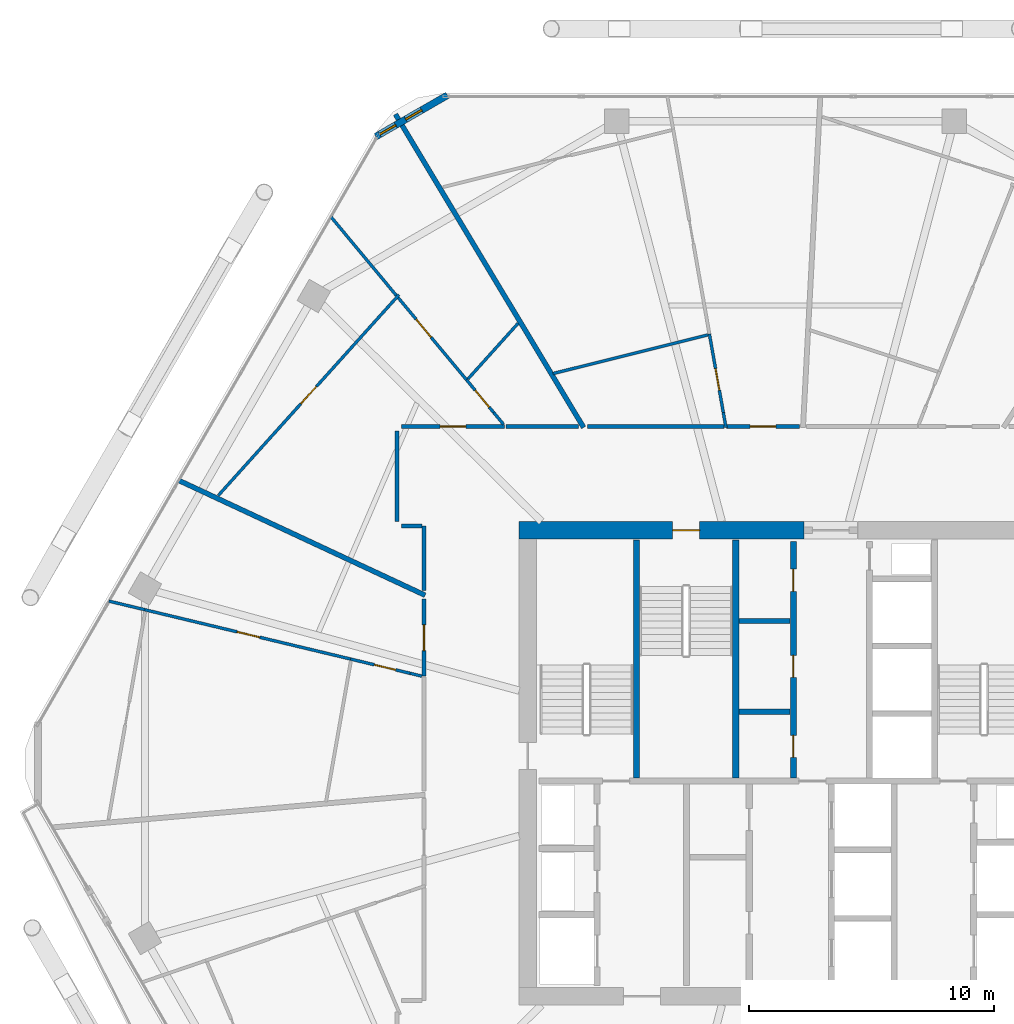
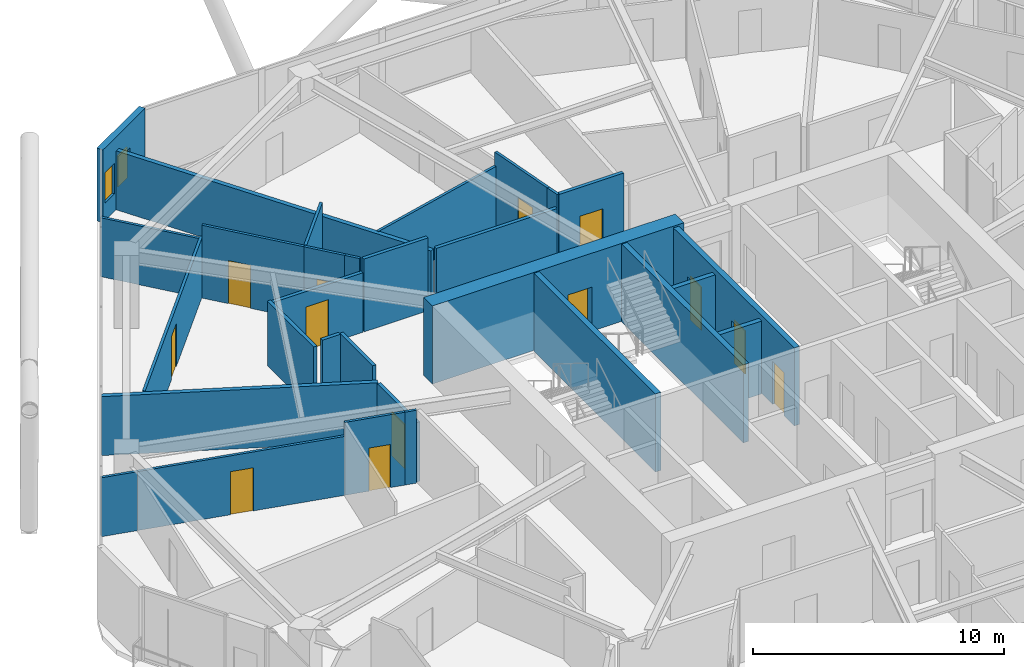
# One storey, part 23 of 28: 30 walls, 13 doors, 2 windows, 15 openings.
"""IFC4 building model written with IfcOpenShell, lengths in metres."""

from ifc_helpers import new_model, si_unit, direction, frame, frame_2d, origin, place, context, subcontext, project, spatial, rectangle, extrude, material, layer, layer_set, type_object, element, fill, save


model = new_model("IFC4")

# Units and contexts
model_context = context("Model", 3, precision=1e-05, world=origin(), true_north=direction((0.0, 1.0)))
body_context = subcontext(model_context, "Body", "Model", "MODEL_VIEW")
ifc_project = project(units=[si_unit("LENGTHUNIT", "METRE"), si_unit("AREAUNIT", "SQUARE_METRE"), si_unit("VOLUMEUNIT", "CUBIC_METRE"), si_unit("PLANEANGLEUNIT", "RADIAN"), si_unit("MASSUNIT", "GRAM", prefix="KILO")], contexts=[model_context])

# Site, building, storey
site_placement = place(None, origin())
site = spatial("IfcSite", under=ifc_project, at=site_placement, CompositionType="ELEMENT")
building_placement = place(site_placement, origin())
building = spatial("IfcBuilding", under=site, at=building_placement, Name="Zuhravey Tower", CompositionType="ELEMENT")
storey_placement = place(building_placement, frame((0.0, 0.0, 169.39990234375)))
storey = spatial("IfcBuildingStorey", under=building, at=storey_placement, Name="L42", CompositionType="ELEMENT", Elevation=169.39990234375)

# Wall, opening, door
ifc_material_1 = material(Name="Concrete C60/75", Category="concrete")
ifc_layer_1 = layer(ifc_material_1, 0.699951171875)
ifc_layer_set_1 = layer_set([ifc_layer_1], Name="Concrete C60/75")
wall_type_1 = type_object("IfcWallType", Name="Core Shear Wall 700", PredefinedType="SHEAR", material=ifc_layer_set_1)
wall_1_placement = place(storey_placement, frame((36.75, 41.5, 0.0), z_axis=(0.0, 0.0, 1.0), x_axis=(-1.0, 0.0, 0.0)))
wall_1 = element("IfcWall", 1, at=wall_1_placement, inside=storey, type_object=wall_type_1, Name="L42 North-West Core Shear Wall CW70", PredefinedType="SHEAR", context=body_context, shape_type="SweptSolid", body=[
    extrude(rectangle(XDim=11.60009765625, YDim=0.699951171875, at=frame_2d((5.800048828125, 0.0))), origin(), (0.0, 0.0, 1.0), 3.800048828125),
])
opening_1_placement = place(wall_1_placement, frame((4.25, 0.0, 0.0)))
opening_1 = element("IfcOpeningElement", 2, at=opening_1_placement, cuts=wall_1, Name="Opening STD1", PredefinedType="OPENING", context=body_context, shape_type="SweptSolid", body=[
    extrude(rectangle(XDim=1.10009765625, YDim=2.14990234375, at=frame_2d((0.550048828125, 1.074951171875))), frame((0.0, 0.362060546875, 0.0), z_axis=(0.0, -1.0, 0.0), x_axis=(1.0, 0.0, 0.0)), (0.0, 0.0, 1.0), 0.723876953125),
])
ifc_material_2 = material(Name="Galvanised fire-rated steel leaf", Category="steel")
door_type_1 = type_object("IfcDoorType", Name="Protected Stair Fire Door 1100x2150", OperationType="NOTDEFINED", PredefinedType="USERDEFINED", material=ifc_material_2)
door_1_placement = place(opening_1_placement, origin())
door_1 = element("IfcDoor", 3, at=door_1_placement, inside=storey, type_object=door_type_1, Name="L42 Stair ST3 Door", ObjectType="EXITDOOR", OperationType="SINGLE_SWING_RIGHT", OverallHeight=2.14990234375, OverallWidth=1.10009765625, PredefinedType="USERDEFINED", context=body_context, shape_type="SweptSolid", body=[
    extrude(rectangle(XDim=1.10009765625, YDim=2.14990234375, at=frame_2d((0.550048828125, 1.074951171875))), frame((0.0, 0.02490234375, 0.0), z_axis=(0.0, -1.0, 0.0), x_axis=(1.0, 0.0, 0.0)), (0.0, 0.0, 1.0), 0.050048828125),
])
fill(opening_1, door_1)

ifc_material_3 = material(Name="Gypsum fire-rated stud partition")
ifc_layer_2 = layer(ifc_material_3, 0.159912109375)
ifc_layer_set_2 = layer_set([ifc_layer_2], Name="Gypsum fire-rated stud partition")
wall_type_2 = type_object("IfcWallType", Name="Corridor Fire Partition 160", PredefinedType="PARTITIONING", material=ifc_layer_set_2)
wall_2_placement = place(storey_placement, frame((36.579345703125, 45.72998046875, 0.0), z_axis=(0.0, 0.0, 1.0), x_axis=(-1.0, 0.0, 0.0)))
wall_2 = element("IfcWall", 4, at=wall_2_placement, inside=storey, type_object=wall_type_2, Name="L42 IW16 Partition 032", PredefinedType="PARTITIONING", context=body_context, shape_type="SweptSolid", body=[
    extrude(rectangle(XDim=2.98974609375, YDim=0.159912109375, at=frame_2d((1.494873046875, 0.0))), origin(), (0.0, 0.0, 1.0), 3.550048828125),
])
opening_2_placement = place(wall_2_placement, frame((0.969970703125, 0.0, 0.0)))
opening_2 = element("IfcOpeningElement", 5, at=opening_2_placement, cuts=wall_2, Name="Opening APD1", PredefinedType="OPENING", context=body_context, shape_type="SweptSolid", body=[
    extrude(rectangle(XDim=1.050048828125, YDim=2.14990234375, at=frame_2d((0.52490234375, 1.074951171875))), frame((0.0, 0.092041015625, 0.0), z_axis=(0.0, -1.0, 0.0), x_axis=(1.0, 0.0, 0.0)), (0.0, 0.0, 1.0), 0.183837890625),
])
ifc_material_4 = material(Name="Solid-core oak fire-rated leaf")
door_type_2 = type_object("IfcDoorType", Name="Apartment Entrance Fire Door 1050x2150", OperationType="NOTDEFINED", PredefinedType="DOOR", material=ifc_material_4)
door_2_placement = place(opening_2_placement, frame((1.050048828125, 0.0, 0.0), z_axis=(0.0, 0.0, 1.0), x_axis=(-1.0, 0.0, 0.0)))
door_2 = element("IfcDoor", 6, at=door_2_placement, inside=storey, type_object=door_type_2, Name="L42 Door 032.1", OperationType="SINGLE_SWING_RIGHT", OverallHeight=2.14990234375, OverallWidth=1.050048828125, PredefinedType="DOOR", context=body_context, shape_type="SweptSolid", body=[
    extrude(rectangle(XDim=1.050048828125, YDim=2.14990234375, at=frame_2d((0.52490234375, 1.074951171875))), frame((0.0, 0.02490234375, 0.0), z_axis=(0.0, -1.0, 0.0), x_axis=(1.0, 0.0, 0.0)), (0.0, 0.0, 1.0), 0.050048828125),
])
fill(opening_2, door_2)

wall_3_placement = place(storey_placement, frame((24.554931640625, 45.72998046875, 0.0), z_axis=(0.0, 0.0, 1.0), x_axis=(-1.0, 0.0, 0.0)))
wall_3 = element("IfcWall", 7, at=wall_3_placement, inside=storey, type_object=wall_type_2, Name="L42 IW16 Partition 037", PredefinedType="PARTITIONING", context=body_context, shape_type="SweptSolid", body=[
    extrude(rectangle(XDim=4.204833984375, YDim=0.159912109375, at=frame_2d((2.1025390625, 0.0))), origin(), (0.0, 0.0, 1.0), 2.900146484375),
])
opening_3_placement = place(wall_3_placement, frame((1.577392578125, 0.0, 0.0)))
opening_3 = element("IfcOpeningElement", 8, at=opening_3_placement, cuts=wall_3, Name="Opening APD1", PredefinedType="OPENING", context=body_context, shape_type="SweptSolid", body=[
    extrude(rectangle(XDim=1.050048828125, YDim=2.14990234375, at=frame_2d((0.52490234375, 1.074951171875))), frame((0.0, 0.092041015625, 0.0), z_axis=(0.0, -1.0, 0.0), x_axis=(1.0, 0.0, 0.0)), (0.0, 0.0, 1.0), 0.183837890625),
])
door_3_placement = place(opening_3_placement, origin())
door_3 = element("IfcDoor", 9, at=door_3_placement, inside=storey, type_object=door_type_2, Name="L42 Door 037.1", OperationType="SINGLE_SWING_RIGHT", OverallHeight=2.14990234375, OverallWidth=1.050048828125, PredefinedType="DOOR", context=body_context, shape_type="SweptSolid", body=[
    extrude(rectangle(XDim=1.050048828125, YDim=2.14990234375, at=frame_2d((0.52490234375, 1.074951171875))), frame((0.0, 0.02490234375, 0.0), z_axis=(0.0, -1.0, 0.0), x_axis=(1.0, 0.0, 0.0)), (0.0, 0.0, 1.0), 0.050048828125),
])
fill(opening_3, door_3)

wall_4_placement = place(storey_placement, frame((21.27001953125, 38.69091796875, 0.0), z_axis=(0.0, 0.0, 1.0), x_axis=(0.0, -1.0, 0.0)))
wall_4 = element("IfcWall", 10, at=wall_4_placement, inside=storey, type_object=wall_type_2, Name="L42 IW16 Partition 041", PredefinedType="PARTITIONING", context=body_context, shape_type="SweptSolid", body=[
    extrude(rectangle(XDim=3.139404296875, YDim=0.159912109375, at=frame_2d((1.56982421875, 0.0))), origin(), (0.0, 0.0, 1.0), 2.900146484375),
])
opening_4_placement = place(wall_4_placement, frame((1.044677734375, 0.0, 0.0)))
opening_4 = element("IfcOpeningElement", 11, at=opening_4_placement, cuts=wall_4, Name="Opening APD1", PredefinedType="OPENING", context=body_context, shape_type="SweptSolid", body=[
    extrude(rectangle(XDim=1.050048828125, YDim=2.14990234375, at=frame_2d((0.52490234375, 1.074951171875))), frame((0.0, 0.092041015625, 0.0), z_axis=(0.0, -1.0, 0.0), x_axis=(1.0, 0.0, 0.0)), (0.0, 0.0, 1.0), 0.183837890625),
])
door_4_placement = place(opening_4_placement, frame((1.050048828125, 0.0, 0.0), z_axis=(0.0, 0.0, 1.0), x_axis=(-1.0, 0.0, 0.0)))
door_4 = element("IfcDoor", 12, at=door_4_placement, inside=storey, type_object=door_type_2, Name="L42 Door 041.1", OperationType="SINGLE_SWING_RIGHT", OverallHeight=2.14990234375, OverallWidth=1.050048828125, PredefinedType="DOOR", context=body_context, shape_type="SweptSolid", body=[
    extrude(rectangle(XDim=1.050048828125, YDim=2.14990234375, at=frame_2d((0.52490234375, 1.074951171875))), frame((0.0, 0.02490234375, 0.0), z_axis=(0.0, -1.0, 0.0), x_axis=(1.0, 0.0, 0.0)), (0.0, 0.0, 1.0), 0.050048828125),
])
fill(opening_4, door_4)

# Walls
wall_5_placement = place(storey_placement, frame((33.5, 45.72998046875, 0.0), z_axis=(0.0, 0.0, 1.0), x_axis=(-1.0, 0.0, 0.0)))
element("IfcWall", 13, at=wall_5_placement, inside=storey, type_object=wall_type_2, Name="L42 IW16 Partition 128", PredefinedType="PARTITIONING", context=body_context, shape_type="SweptSolid", body=[
    extrude(rectangle(XDim=5.564453125, YDim=0.159912109375, at=frame_2d((2.7822265625, 0.0))), origin(), (0.0, 0.0, 1.0), 2.900146484375),
])
wall_6_placement = place(storey_placement, frame((20.169921875, 45.550048828125, 0.0), z_axis=(0.0, 0.0, 1.0), x_axis=(0.0, -1.0, 0.0)))
element("IfcWall", 14, at=wall_6_placement, inside=storey, type_object=wall_type_2, Name="L42 IW16 Partition 129", PredefinedType="PARTITIONING", context=body_context, shape_type="SweptSolid", body=[
    extrude(rectangle(XDim=3.699951171875, YDim=0.159912109375, at=frame_2d((1.85009765625, 0.0))), origin(), (0.0, 0.0, 1.0), 3.150146484375),
])
wall_7_placement = place(storey_placement, frame((21.27001953125, 41.669921875, 0.0), z_axis=(0.0, 0.0, 1.0), x_axis=(0.0, -1.0, 0.0)))
element("IfcWall", 15, at=wall_7_placement, inside=storey, type_object=wall_type_2, Name="L42 IW16 Partition 130", PredefinedType="PARTITIONING", context=body_context, shape_type="SweptSolid", body=[
    extrude(rectangle(XDim=2.621826171875, YDim=0.159912109375, at=frame_2d((1.31103515625, 0.0))), origin(), (0.0, 0.0, 1.0), 3.550048828125),
])
wall_8_placement = place(storey_placement, frame((20.35009765625, 41.669921875, 0.0), z_axis=(0.0, 0.0, 1.0), x_axis=(1.0, 0.0, 0.0)))
element("IfcWall", 16, at=wall_8_placement, inside=storey, type_object=wall_type_2, Name="L42 IW16 Partition 131", PredefinedType="PARTITIONING", context=body_context, shape_type="SweptSolid", body=[
    extrude(rectangle(XDim=0.831787109375, YDim=0.159912109375, at=frame_2d((0.416015625, 0.0))), origin(), (0.0, 0.0, 1.0), 3.550048828125),
])
wall_9_placement = place(storey_placement, frame((27.562744140625, 45.72998046875, 0.0), z_axis=(0.0, 0.0, 1.0), x_axis=(-1.0, 0.0, 0.0)))
element("IfcWall", 17, at=wall_9_placement, inside=storey, type_object=wall_type_2, Name="L42 IW16 Partition 132", PredefinedType="PARTITIONING", context=body_context, shape_type="SweptSolid", body=[
    extrude(rectangle(XDim=2.955810546875, YDim=0.159912109375, at=frame_2d((1.47802734375, 0.0))), origin(), (0.0, 0.0, 1.0), 3.550048828125),
])

# Wall, openings, windows
ifc_material_5 = material(Name="Precast concrete C40/50", Category="concrete")
ifc_layer_3 = layer(ifc_material_5, 0.280029296875)
ifc_layer_set_3 = layer_set([ifc_layer_3], Name="Precast concrete C40/50")
wall_type_3 = type_object("IfcWallType", Name="Crown Architectural Wall 280", PredefinedType="SOLIDWALL", material=ifc_layer_set_3)
wall_10_placement = place(storey_placement, frame((19.306884765625, 57.548095703125, 0.0), z_axis=(0.0, 0.0, 1.0), x_axis=(0.866020068361, 0.500009241111, 0.0)))
wall_10 = element("IfcWall", 18, at=wall_10_placement, inside=storey, type_object=wall_type_3, Name="L42 Rounded Corner Closure Wall EW28-08", PredefinedType="SOLIDWALL", context=body_context, shape_type="SweptSolid", body=[
    extrude(rectangle(XDim=3.365234375, YDim=0.280029296875, at=frame_2d((1.6826171875, 0.0))), origin(), (0.0, 0.0, 1.0), 3.550048828125),
])
opening_5_placement = place(wall_10_placement, frame((1.405517578125, 0.0, 0.85009765625)))
opening_5 = element("IfcOpeningElement", 19, at=opening_5_placement, cuts=wall_10, Name="Opening WN5", PredefinedType="OPENING", context=body_context, shape_type="SweptSolid", body=[
    extrude(rectangle(XDim=0.75, YDim=1.5, at=frame_2d((0.375, 0.75))), frame((0.0, 0.152099609375, 0.0), z_axis=(0.0, -1.0, 0.0), x_axis=(1.0, 0.0, 0.0)), (0.0, 0.0, 1.0), 0.303955078125),
])
opening_6_placement = place(wall_10_placement, frame((0.17919921875, 0.0, 0.85009765625)))
opening_6 = element("IfcOpeningElement", 20, at=opening_6_placement, cuts=wall_10, Name="Opening WN5", PredefinedType="OPENING", context=body_context, shape_type="SweptSolid", body=[
    extrude(rectangle(XDim=0.75, YDim=1.5, at=frame_2d((0.375, 0.75))), frame((0.0, 0.152099609375, 0.0), z_axis=(0.0, -1.0, 0.0), x_axis=(1.0, 0.0, 0.0)), (0.0, 0.0, 1.0), 0.303955078125),
])
ifc_material_6 = material(Name="Thermally broken aluminium and triple low-E glass", Category="aluminium")
window_type = type_object("IfcWindowType", Name="Residential Corner Casement Window 750x1500", PartitioningType="SINGLE_PANEL", PredefinedType="WINDOW", material=ifc_material_6)
window_1_placement = place(opening_5_placement, origin())
window_1 = element("IfcWindow", 21, at=window_1_placement, inside=storey, type_object=window_type, Name="L42 Corner Casement Window WN5-08.1", OverallHeight=1.5, OverallWidth=0.75, PartitioningType="SINGLE_PANEL", PredefinedType="WINDOW", context=body_context, shape_type="SweptSolid", body=[
    extrude(rectangle(XDim=0.75, YDim=1.5, at=frame_2d((0.375, 0.75))), frame((0.0, 0.030029296875, 0.0), z_axis=(0.0, -1.0, 0.0), x_axis=(1.0, 0.0, 0.0)), (0.0, 0.0, 1.0), 0.06005859375),
])
fill(opening_5, window_1)
window_2_placement = place(opening_6_placement, origin())
window_2 = element("IfcWindow", 22, at=window_2_placement, inside=storey, type_object=window_type, Name="L42 Corner Casement Window WN5-08.2", OverallHeight=1.5, OverallWidth=0.75, PartitioningType="SINGLE_PANEL", PredefinedType="WINDOW", context=body_context, shape_type="SweptSolid", body=[
    extrude(rectangle(XDim=0.75, YDim=1.5, at=frame_2d((0.375, 0.75))), frame((0.0, 0.030029296875, 0.0), z_axis=(0.0, -1.0, 0.0), x_axis=(1.0, 0.0, 0.0)), (0.0, 0.0, 1.0), 0.06005859375),
])
fill(opening_6, window_2)

# Walls
ifc_material_7 = material(Name="Concrete C50/60", Category="concrete")
ifc_layer_4 = layer(ifc_material_7, 0.25)
ifc_layer_set_4 = layer_set([ifc_layer_4], Name="Concrete C50/60")
wall_type_4 = type_object("IfcWallType", Name="Firefighting Shaft & Stair Wall 250", PredefinedType="SOLIDWALL", material=ifc_layer_set_4)
for number, where, z_axis, x_axis, name in (
    (23, (29.925048828125, 31.39990234375, 0.0), (0.0, 0.0, 1.0), (0.0, 1.0, 0.0), "L42 FW25 Shaft Wall 004"),
    (24, (33.97509765625, 31.39990234375, 0.0), (0.0, 0.0, 1.0), (0.0, 1.0, 0.0), "L42 FW25 Shaft Wall 005"),
):
    element("IfcWall", number, at=place(storey_placement, frame(where, z_axis=z_axis, x_axis=x_axis)), inside=storey, type_object=wall_type_4, Name=name, PredefinedType="SOLIDWALL", context=body_context, shape_type="SweptSolid", body=[
        extrude(rectangle(XDim=9.7001953125, YDim=0.25, at=frame_2d((4.85009765625, 0.0))), origin(), (0.0, 0.0, 1.0), 3.800048828125),
    ])

# Wall, openings, doors
wall_11_placement = place(storey_placement, frame((36.324951171875, 31.39990234375, 0.0), z_axis=(0.0, 0.0, 1.0), x_axis=(0.0, 1.0, 0.0)))
wall_11 = element("IfcWall", 25, at=wall_11_placement, inside=storey, type_object=wall_type_4, Name="L42 FW25 Shaft Wall 007", PredefinedType="SOLIDWALL", context=body_context, shape_type="SweptSolid", body=[
    extrude(rectangle(XDim=9.650146484375, YDim=0.25, at=frame_2d((4.8251953125, 0.0))), origin(), (0.0, 0.0, 1.0), 3.800048828125),
])
opening_7_placement = place(wall_11_placement, frame((0.840087890625, 0.0, 0.0)))
opening_7 = element("IfcOpeningElement", 26, at=opening_7_placement, cuts=wall_11, Name="Opening RSD1", PredefinedType="OPENING", context=body_context, shape_type="SweptSolid", body=[
    extrude(rectangle(XDim=0.89990234375, YDim=2.10009765625, at=frame_2d((0.449951171875, 1.050048828125))), frame((0.0, 0.136962890625, 0.0), z_axis=(0.0, -1.0, 0.0), x_axis=(1.0, 0.0, 0.0)), (0.0, 0.0, 1.0), 0.27392578125),
])
opening_8_placement = place(wall_11_placement, frame((4.10009765625, 0.0, 0.0)))
opening_8 = element("IfcOpeningElement", 27, at=opening_8_placement, cuts=wall_11, Name="Opening RSD1", PredefinedType="OPENING", context=body_context, shape_type="SweptSolid", body=[
    extrude(rectangle(XDim=0.89990234375, YDim=2.10009765625, at=frame_2d((0.449951171875, 1.050048828125))), frame((0.0, 0.136962890625, 0.0), z_axis=(0.0, -1.0, 0.0), x_axis=(1.0, 0.0, 0.0)), (0.0, 0.0, 1.0), 0.27392578125),
])
opening_9_placement = place(wall_11_placement, frame((7.610107421875, 0.0, 0.0)))
opening_9 = element("IfcOpeningElement", 28, at=opening_9_placement, cuts=wall_11, Name="Opening RSD1", PredefinedType="OPENING", context=body_context, shape_type="SweptSolid", body=[
    extrude(rectangle(XDim=0.89990234375, YDim=2.10009765625, at=frame_2d((0.449951171875, 1.050048828125))), frame((0.0, 0.136962890625, 0.0), z_axis=(0.0, -1.0, 0.0), x_axis=(1.0, 0.0, 0.0)), (0.0, 0.0, 1.0), 0.27392578125),
])
ifc_material_8 = material(Name="Galvanised fire-rated steel access leaf", Category="steel")
door_type_3 = type_object("IfcDoorType", Name="Riser & Shaft Access Fire Door 900x2100", OperationType="NOTDEFINED", PredefinedType="DOOR", material=ifc_material_8)
door_5_placement = place(opening_7_placement, origin())
door_5 = element("IfcDoor", 29, at=door_5_placement, inside=storey, type_object=door_type_3, Name="L42 Core Staff WC Door", OperationType="SINGLE_SWING_RIGHT", OverallHeight=2.10009765625, OverallWidth=0.89990234375, PredefinedType="DOOR", context=body_context, shape_type="SweptSolid", body=[
    extrude(rectangle(XDim=0.89990234375, YDim=2.10009765625, at=frame_2d((0.449951171875, 1.050048828125))), frame((0.0, 0.02490234375, 0.0), z_axis=(0.0, -1.0, 0.0), x_axis=(1.0, 0.0, 0.0)), (0.0, 0.0, 1.0), 0.050048828125),
])
fill(opening_7, door_5)
door_6_placement = place(opening_8_placement, origin())
door_6 = element("IfcDoor", 30, at=door_6_placement, inside=storey, type_object=door_type_3, Name="L42 IT and Comms Room Door", OperationType="SINGLE_SWING_LEFT", OverallHeight=2.10009765625, OverallWidth=0.89990234375, PredefinedType="DOOR", context=body_context, shape_type="SweptSolid", body=[
    extrude(rectangle(XDim=0.89990234375, YDim=2.10009765625, at=frame_2d((0.449951171875, 1.050048828125))), frame((0.0, 0.02490234375, 0.0), z_axis=(0.0, -1.0, 0.0), x_axis=(1.0, 0.0, 0.0)), (0.0, 0.0, 1.0), 0.050048828125),
])
fill(opening_8, door_6)
door_7_placement = place(opening_9_placement, origin())
door_7 = element("IfcDoor", 31, at=door_7_placement, inside=storey, type_object=door_type_3, Name="L42 Janitor Linen Store Door", OperationType="SINGLE_SWING_RIGHT", OverallHeight=2.10009765625, OverallWidth=0.89990234375, PredefinedType="DOOR", context=body_context, shape_type="SweptSolid", body=[
    extrude(rectangle(XDim=0.89990234375, YDim=2.10009765625, at=frame_2d((0.449951171875, 1.050048828125))), frame((0.0, 0.02490234375, 0.0), z_axis=(0.0, -1.0, 0.0), x_axis=(1.0, 0.0, 0.0)), (0.0, 0.0, 1.0), 0.050048828125),
])
fill(opening_9, door_7)

# Walls
ifc_material_9 = material(Name="Gypsum double-stud party assembly")
ifc_layer_5 = layer(ifc_material_9, 0.199951171875)
ifc_layer_set_5 = layer_set([ifc_layer_5], Name="Gypsum double-stud party assembly")
wall_type_5 = type_object("IfcWallType", Name="Inter-Tenancy Party Wall 200", PredefinedType="PARTITIONING", material=ifc_layer_set_5)
wall_12_placement = place(storey_placement, frame((27.774169921875, 45.68994140625, 0.0), z_axis=(0.0, 0.0, 1.0), x_axis=(-0.515035727322, 0.857168711271, 0.0)))
element("IfcWall", 32, at=wall_12_placement, inside=storey, type_object=wall_type_5, Name="L42 IW20 Partition 089", PredefinedType="PARTITIONING", context=body_context, shape_type="SweptSolid", body=[
    extrude(rectangle(XDim=14.89111328125, YDim=0.199951171875, at=frame_2d((7.445556640625, 0.0))), origin(), (0.0, 0.0, 1.0), 2.8701171875),
])
wall_13_placement = place(storey_placement, frame((21.31005859375, 38.85009765625, 0.0), z_axis=(0.0, 0.0, 1.0), x_axis=(-0.906310899559, 0.422611586851, 0.0)))
element("IfcWall", 33, at=wall_13_placement, inside=storey, type_object=wall_type_5, Name="L42 IW20 Partition 092", PredefinedType="PARTITIONING", context=body_context, shape_type="SweptSolid", body=[
    extrude(rectangle(XDim=11.078369140625, YDim=0.199951171875, at=frame_2d((5.5390625, 0.0))), origin(), (0.0, 0.0, 1.0), 2.8701171875),
])
ifc_material_10 = material(Name="Gypsum acoustic stud assembly")
ifc_layer_6 = layer(ifc_material_10, 0.219970703125)
ifc_layer_set_6 = layer_set([ifc_layer_6], Name="Gypsum acoustic stud assembly")
wall_type_6 = type_object("IfcWallType", Name="School Acoustic Compartment Wall 220", PredefinedType="PARTITIONING", material=ifc_layer_set_6)
for number, where, z_axis, x_axis, name in (
    (34, (34.10791015625, 34.10009765625, 0.0), (0.0, 0.0, 1.0), (1.0, 0.0, 0.0), "L42 IW22 Partition 067"),
    (35, (34.10791015625, 37.800048828125, 0.0), (0.0, 0.0, 1.0), (1.0, 0.0, 0.0), "L42 IW22 Partition 068"),
):
    element("IfcWall", number, at=place(storey_placement, frame(where, z_axis=z_axis, x_axis=x_axis)), inside=storey, type_object=wall_type_6, Name=name, PredefinedType="PARTITIONING", context=body_context, shape_type="SweptSolid", body=[
        extrude(rectangle(XDim=2.083984375, YDim=0.219970703125, at=frame_2d((1.0419921875, 0.0))), origin(), (0.0, 0.0, 1.0), 3.550048828125),
    ])

# Wall, opening, door
ifc_material_11 = material(Name="Gypsum metal-stud partition")
ifc_layer_7 = layer(ifc_material_11, 0.1201171875)
ifc_layer_set_7 = layer_set([ifc_layer_7], Name="Gypsum metal-stud partition")
wall_type_7 = type_object("IfcWallType", Name="Unit Internal Partition 120", PredefinedType="PARTITIONING", material=ifc_layer_set_7)
wall_14_placement = place(storey_placement, frame((33.46826171875, 46.300048828125, 0.0), z_axis=(0.0, 0.0, 1.0), x_axis=(-0.174363613102, 0.984681334456, 0.0)))
wall_14 = element("IfcWall", 36, at=wall_14_placement, inside=storey, type_object=wall_type_7, Name="L42 IW12 Partition 029", PredefinedType="PARTITIONING", context=body_context, shape_type="SweptSolid", body=[
    extrude(rectangle(XDim=3.251220703125, YDim=0.1201171875, at=frame_2d((1.62548828125, 0.0))), origin(), (0.0, 0.0, 1.0), 3.550048828125),
])
opening_10_placement = place(wall_14_placement, frame((0.91552734375, 0.0, 0.0)))
opening_10 = element("IfcOpeningElement", 37, at=opening_10_placement, cuts=wall_14, Name="Opening WCD1", PredefinedType="OPENING", context=body_context, shape_type="SweptSolid", body=[
    extrude(rectangle(XDim=0.89990234375, YDim=2.10009765625, at=frame_2d((0.449951171875, 1.050048828125))), frame((0.0, 0.072021484375, 0.0), z_axis=(0.0, -1.0, 0.0), x_axis=(1.0, 0.0, 0.0)), (0.0, 0.0, 1.0), 0.14404296875),
])
ifc_material_12 = material(Name="Moisture-resistant timber leaf", Category="wood")
door_type_4 = type_object("IfcDoorType", Name="Bathroom & WC Internal Door 900x2100", OperationType="NOTDEFINED", PredefinedType="DOOR", material=ifc_material_12)
door_8_placement = place(opening_10_placement, origin())
door_8 = element("IfcDoor", 38, at=door_8_placement, inside=storey, type_object=door_type_4, Name="Apartment L42-03 Bathroom Door", OperationType="SINGLE_SWING_LEFT", OverallHeight=2.10009765625, OverallWidth=0.89990234375, PredefinedType="DOOR", context=body_context, shape_type="SweptSolid", body=[
    extrude(rectangle(XDim=0.89990234375, YDim=2.10009765625, at=frame_2d((0.449951171875, 1.050048828125))), frame((0.0, 0.02490234375, 0.0), z_axis=(0.0, -1.0, 0.0), x_axis=(1.0, 0.0, 0.0)), (0.0, 0.0, 1.0), 0.050048828125),
])
fill(opening_10, door_8)

wall_15_placement = place(storey_placement, frame((20.24755859375, 51.0966796875, 0.0), z_axis=(0.0, 0.0, 1.0), x_axis=(-0.669133806592, -0.743141943962, 0.0)))
wall_15 = element("IfcWall", 39, at=wall_15_placement, inside=storey, type_object=wall_type_7, Name="L42 IW12 Partition 033", PredefinedType="PARTITIONING", context=body_context, shape_type="SweptSolid", body=[
    extrude(rectangle(XDim=11.00830078125, YDim=0.1201171875, at=frame_2d((5.504150390625, 0.0))), origin(), (0.0, 0.0, 1.0), 2.900146484375),
])
opening_11_placement = place(wall_15_placement, frame((5.029052734375, 0.0, 0.0)))
opening_11 = element("IfcOpeningElement", 40, at=opening_11_placement, cuts=wall_15, Name="Opening IND1", PredefinedType="OPENING", context=body_context, shape_type="SweptSolid", body=[
    extrude(rectangle(XDim=0.949951171875, YDim=2.10009765625, at=frame_2d((0.47509765625, 1.050048828125))), frame((0.0, 0.072021484375, 0.0), z_axis=(0.0, -1.0, 0.0), x_axis=(1.0, 0.0, 0.0)), (0.0, 0.0, 1.0), 0.14404296875),
])
ifc_material_13 = material(Name="Painted engineered timber leaf", Category="wood")
door_type_5 = type_object("IfcDoorType", Name="Internal Room & Bedroom Door 950x2100", OperationType="NOTDEFINED", PredefinedType="DOOR", material=ifc_material_13)
door_9_placement = place(opening_11_placement, frame((0.949951171875, 0.0, 0.0), z_axis=(0.0, 0.0, 1.0), x_axis=(-1.0, 0.0, 0.0)))
door_9 = element("IfcDoor", 41, at=door_9_placement, inside=storey, type_object=door_type_5, Name="Apartment L42-04 Family Study Door", OperationType="SINGLE_SWING_LEFT", OverallHeight=2.10009765625, OverallWidth=0.949951171875, PredefinedType="DOOR", context=body_context, shape_type="SweptSolid", body=[
    extrude(rectangle(XDim=0.949951171875, YDim=2.10009765625, at=frame_2d((0.47509765625, 1.050048828125))), frame((0.0, 0.02490234375, 0.0), z_axis=(0.0, -1.0, 0.0), x_axis=(1.0, 0.0, 0.0)), (0.0, 0.0, 1.0), 0.050048828125),
])
fill(opening_11, door_9)

wall_16_placement = place(storey_placement, frame((24.106689453125, 46.300048828125, 0.0), z_axis=(0.0, 0.0, 1.0), x_axis=(-0.639380963996, 0.76889009805, 0.0)))
wall_16 = element("IfcWall", 42, at=wall_16_placement, inside=storey, type_object=wall_type_7, Name="L42 IW12 Partition 034", PredefinedType="PARTITIONING", context=body_context, shape_type="SweptSolid", body=[
    extrude(rectangle(XDim=1.734375, YDim=0.1201171875, at=frame_2d((0.8671875, 0.0))), origin(), (0.0, 0.0, 1.0), 3.550048828125),
])
opening_12_placement = place(wall_16_placement, frame((0.2783203125, 0.0, 0.0)))
opening_12 = element("IfcOpeningElement", 43, at=opening_12_placement, cuts=wall_16, Name="Opening WCD1", PredefinedType="OPENING", context=body_context, shape_type="SweptSolid", body=[
    extrude(rectangle(XDim=0.89990234375, YDim=2.10009765625, at=frame_2d((0.449951171875, 1.050048828125))), frame((0.0, 0.072021484375, 0.0), z_axis=(0.0, -1.0, 0.0), x_axis=(1.0, 0.0, 0.0)), (0.0, 0.0, 1.0), 0.14404296875),
])
door_10_placement = place(opening_12_placement, frame((0.89990234375, 0.0, 0.0), z_axis=(0.0, 0.0, 1.0), x_axis=(-1.0, 0.0, 0.0)))
door_10 = element("IfcDoor", 44, at=door_10_placement, inside=storey, type_object=door_type_4, Name="Apartment L42-04 Bathroom Door", OperationType="SINGLE_SWING_RIGHT", OverallHeight=2.10009765625, OverallWidth=0.89990234375, PredefinedType="DOOR", context=body_context, shape_type="SweptSolid", body=[
    extrude(rectangle(XDim=0.89990234375, YDim=2.10009765625, at=frame_2d((0.449951171875, 1.050048828125))), frame((0.0, 0.02490234375, 0.0), z_axis=(0.0, -1.0, 0.0), x_axis=(1.0, 0.0, 0.0)), (0.0, 0.0, 1.0), 0.050048828125),
])
fill(opening_12, door_10)

wall_17_placement = place(storey_placement, frame((22.997802734375, 47.633544921875, 0.0), z_axis=(0.0, 0.0, 1.0), x_axis=(-0.639447858882, 0.76883446578, 0.0)))
wall_17 = element("IfcWall", 45, at=wall_17_placement, inside=storey, type_object=wall_type_7, Name="L42 IW12 Partition 035", PredefinedType="PARTITIONING", context=body_context, shape_type="SweptSolid", body=[
    extrude(rectangle(XDim=4.337890625, YDim=0.1201171875, at=frame_2d((2.1689453125, 0.0))), origin(), (0.0, 0.0, 1.0), 3.550048828125),
])
opening_13_placement = place(wall_17_placement, frame((2.25732421875, 0.0, 0.0)))
opening_13 = element("IfcOpeningElement", 46, at=opening_13_placement, cuts=wall_17, Name="Opening IND1", PredefinedType="OPENING", context=body_context, shape_type="SweptSolid", body=[
    extrude(rectangle(XDim=0.949951171875, YDim=2.10009765625, at=frame_2d((0.47509765625, 1.050048828125))), frame((0.0, 0.072021484375, 0.0), z_axis=(0.0, -1.0, 0.0), x_axis=(1.0, 0.0, 0.0)), (0.0, 0.0, 1.0), 0.14404296875),
])
door_11_placement = place(opening_13_placement, frame((0.949951171875, 0.0, 0.0), z_axis=(0.0, 0.0, 1.0), x_axis=(-1.0, 0.0, 0.0)))
door_11 = element("IfcDoor", 47, at=door_11_placement, inside=storey, type_object=door_type_5, Name="Apartment L42-04 Bedroom 1 Door", OperationType="SINGLE_SWING_LEFT", OverallHeight=2.10009765625, OverallWidth=0.949951171875, PredefinedType="DOOR", context=body_context, shape_type="SweptSolid", body=[
    extrude(rectangle(XDim=0.949951171875, YDim=2.10009765625, at=frame_2d((0.47509765625, 1.050048828125))), frame((0.0, 0.02490234375, 0.0), z_axis=(0.0, -1.0, 0.0), x_axis=(1.0, 0.0, 0.0)), (0.0, 0.0, 1.0), 0.050048828125),
])
fill(opening_13, door_11)

# Wall
wall_18_placement = place(storey_placement, frame((20.135986328125, 51.074462890625, 0.0), z_axis=(0.0, 0.0, 1.0), x_axis=(-0.639446992495, 0.768835186362, 0.0)))
element("IfcWall", 48, at=wall_18_placement, inside=storey, type_object=wall_type_7, Name="L42 IW12 Partition 036", PredefinedType="PARTITIONING", context=body_context, shape_type="SweptSolid", body=[
    extrude(rectangle(XDim=4.169921875, YDim=0.1201171875, at=frame_2d((2.0849609375, 0.0))), origin(), (0.0, 0.0, 1.0), 2.8701171875),
])

# Wall, opening, door
wall_19_placement = place(storey_placement, frame((20.699951171875, 35.66748046875, 0.0), z_axis=(0.0, 0.0, 1.0), x_axis=(-0.972436171126, 0.233169237004, 0.0)))
wall_19 = element("IfcWall", 49, at=wall_19_placement, inside=storey, type_object=wall_type_7, Name="L42 IW12 Partition 038", PredefinedType="PARTITIONING", context=body_context, shape_type="SweptSolid", body=[
    extrude(rectangle(XDim=2.492919921875, YDim=0.1201171875, at=frame_2d((1.24658203125, 0.0))), origin(), (0.0, 0.0, 1.0), 3.550048828125),
])
opening_14_placement = place(wall_19_placement, frame((0.59716796875, 0.0, 0.0)))
opening_14 = element("IfcOpeningElement", 50, at=opening_14_placement, cuts=wall_19, Name="Opening WCD1", PredefinedType="OPENING", context=body_context, shape_type="SweptSolid", body=[
    extrude(rectangle(XDim=0.89990234375, YDim=2.10009765625, at=frame_2d((0.449951171875, 1.050048828125))), frame((0.0, 0.072021484375, 0.0), z_axis=(0.0, -1.0, 0.0), x_axis=(1.0, 0.0, 0.0)), (0.0, 0.0, 1.0), 0.14404296875),
])
door_12_placement = place(opening_14_placement, origin())
door_12 = element("IfcDoor", 51, at=door_12_placement, inside=storey, type_object=door_type_4, Name="Apartment L42-05 Bathroom Door", OperationType="SINGLE_SWING_LEFT", OverallHeight=2.10009765625, OverallWidth=0.89990234375, PredefinedType="DOOR", context=body_context, shape_type="SweptSolid", body=[
    extrude(rectangle(XDim=0.89990234375, YDim=2.10009765625, at=frame_2d((0.449951171875, 1.050048828125))), frame((0.0, 0.02490234375, 0.0), z_axis=(0.0, -1.0, 0.0), x_axis=(1.0, 0.0, 0.0)), (0.0, 0.0, 1.0), 0.050048828125),
])
fill(opening_14, door_12)

wall_20_placement = place(storey_placement, frame((18.275634765625, 36.248779296875, 0.0), z_axis=(0.0, 0.0, 1.0), x_axis=(-0.972453575949, 0.233096637953, 0.0)))
wall_20 = element("IfcWall", 52, at=wall_20_placement, inside=storey, type_object=wall_type_7, Name="L42 IW12 Partition 039", PredefinedType="PARTITIONING", context=body_context, shape_type="SweptSolid", body=[
    extrude(rectangle(XDim=8.6220703125, YDim=0.1201171875, at=frame_2d((4.31103515625, 0.0))), origin(), (0.0, 0.0, 1.0), 2.8701171875),
])
opening_15_placement = place(wall_20_placement, frame((3.81103515625, 0.0, 0.0)))
opening_15 = element("IfcOpeningElement", 53, at=opening_15_placement, cuts=wall_20, Name="Opening IND1", PredefinedType="OPENING", context=body_context, shape_type="SweptSolid", body=[
    extrude(rectangle(XDim=0.949951171875, YDim=2.10009765625, at=frame_2d((0.47509765625, 1.050048828125))), frame((0.0, 0.072021484375, 0.0), z_axis=(0.0, -1.0, 0.0), x_axis=(1.0, 0.0, 0.0)), (0.0, 0.0, 1.0), 0.14404296875),
])
door_13_placement = place(opening_15_placement, origin())
door_13 = element("IfcDoor", 54, at=door_13_placement, inside=storey, type_object=door_type_5, Name="Apartment L42-05 Home Office Door", OperationType="SINGLE_SWING_RIGHT", OverallHeight=2.10009765625, OverallWidth=0.949951171875, PredefinedType="DOOR", context=body_context, shape_type="SweptSolid", body=[
    extrude(rectangle(XDim=0.949951171875, YDim=2.10009765625, at=frame_2d((0.47509765625, 1.050048828125))), frame((0.0, 0.02490234375, 0.0), z_axis=(0.0, -1.0, 0.0), x_axis=(1.0, 0.0, 0.0)), (0.0, 0.0, 1.0), 0.050048828125),
])
fill(opening_15, door_13)

# Walls
wall_21_placement = place(storey_placement, frame((33.576904296875, 45.685302734375, 0.0), z_axis=(0.0, 0.0, 1.0), x_axis=(-0.174030737969, 0.984740220689, 0.0)))
element("IfcWall", 55, at=wall_21_placement, inside=storey, type_object=wall_type_7, Name="L42 IW12 Partition 086", PredefinedType="PARTITIONING", context=body_context, shape_type="SweptSolid", body=[
    extrude(rectangle(XDim=0.624267578125, YDim=0.1201171875, at=frame_2d((0.31201171875, 0.0))), origin(), (0.0, 0.0, 1.0), 3.550048828125),
])
wall_22_placement = place(storey_placement, frame((32.839599609375, 49.46044921875, 0.0), z_axis=(0.0, 0.0, 1.0), x_axis=(-0.970292398296, -0.241935243009, 0.0)))
element("IfcWall", 56, at=wall_22_placement, inside=storey, type_object=wall_type_7, Name="L42 IW12 Partition 088", PredefinedType="PARTITIONING", context=body_context, shape_type="SweptSolid", body=[
    extrude(rectangle(XDim=6.5068359375, YDim=0.1201171875, at=frame_2d((3.25341796875, 0.0))), origin(), (0.0, 0.0, 1.0), 2.900146484375),
])
wall_23_placement = place(storey_placement, frame((24.5078125, 45.818115234375, 0.0), z_axis=(0.0, 0.0, 1.0), x_axis=(-0.639724708175, 0.768604122908, 0.0)))
element("IfcWall", 57, at=wall_23_placement, inside=storey, type_object=wall_type_7, Name="L42 IW12 Partition 090", PredefinedType="PARTITIONING", context=body_context, shape_type="SweptSolid", body=[
    extrude(rectangle(XDim=0.626953125, YDim=0.1201171875, at=frame_2d((0.3134765625, 0.0))), origin(), (0.0, 0.0, 1.0), 3.550048828125),
])
wall_24_placement = place(storey_placement, frame((25.10009765625, 49.930908203125, 0.0), z_axis=(0.0, 0.0, 1.0), x_axis=(-0.669185903369, -0.7430950321, 0.0)))
element("IfcWall", 58, at=wall_24_placement, inside=storey, type_object=wall_type_7, Name="L42 IW12 Partition 091", PredefinedType="PARTITIONING", context=body_context, shape_type="SweptSolid", body=[
    extrude(rectangle(XDim=3.048828125, YDim=0.1201171875, at=frame_2d((1.5244140625, 0.0))), origin(), (0.0, 0.0, 1.0), 3.550048828125),
])
wall_25_placement = place(storey_placement, frame((21.181884765625, 35.552001953125, 0.0), z_axis=(0.0, 0.0, 1.0), x_axis=(-0.972472201242, 0.233018921574, 0.0)))
element("IfcWall", 59, at=wall_25_placement, inside=storey, type_object=wall_type_7, Name="L42 IW12 Partition 093", PredefinedType="PARTITIONING", context=body_context, shape_type="SweptSolid", body=[
    extrude(rectangle(XDim=0.49560546875, YDim=0.1201171875, at=frame_2d((0.247802734375, 0.0))), origin(), (0.0, 0.0, 1.0), 3.550048828125),
])
wall_26_placement = place(storey_placement, frame((9.89111328125, 38.258544921875, 0.0), z_axis=(0.0, 0.0, 1.0), x_axis=(-0.972445971427, 0.233128360897, 0.0)))
element("IfcWall", 60, at=wall_26_placement, inside=storey, type_object=wall_type_7, Name="L42 IW12 Partition 094", PredefinedType="PARTITIONING", context=body_context, shape_type="SweptSolid", body=[
    extrude(rectangle(XDim=1.510009765625, YDim=0.1201171875, at=frame_2d((0.7548828125, 0.0))), origin(), (0.0, 0.0, 1.0), 2.8701171875),
])

save(model, "model.ifc")
